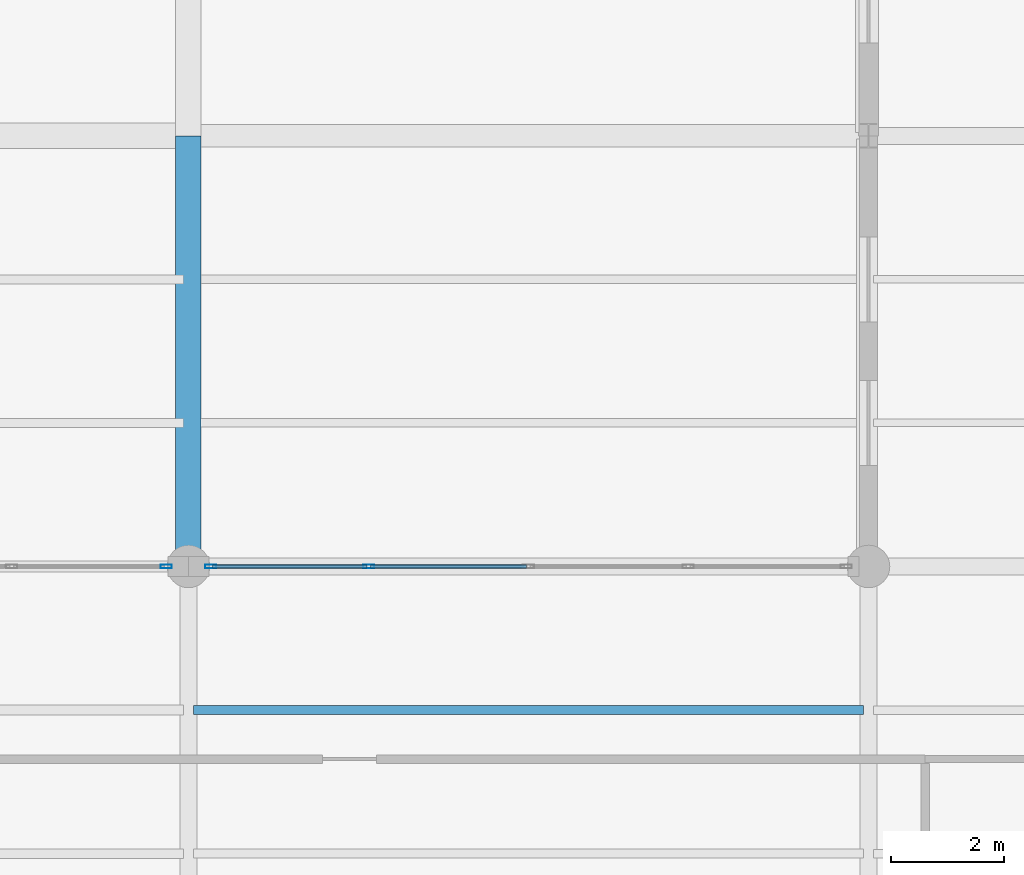
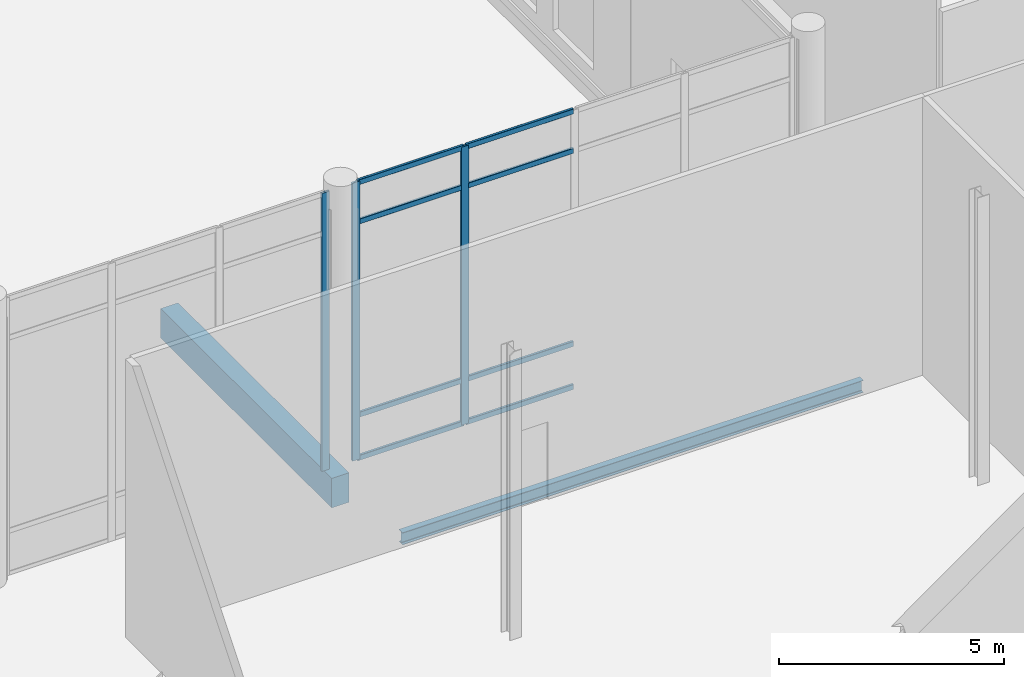
# One storey, part 82 of 176: 11 members, 2 beams, 2 elements without a shape of their own.
"""IFC4 building model written with IfcOpenShell, lengths in metres."""

from ifc_helpers import new_model, si_unit, direction, frame, origin, origin_2d, place, context, subcontext, project, spatial, rectangle, hollow_rectangle, i_section, extrude, material, layer, layer_set, material_profile, profile_set, type_object, element, aggregate, save


model = new_model("IFC4")

# Units and contexts
model_context = context("Model", 3, precision=1e-05, world=origin(), true_north=direction((0.0, 1.0)))
body_context = subcontext(model_context, "Body", "Model", "MODEL_VIEW")
ifc_project = project(units=[si_unit("LENGTHUNIT", "METRE"), si_unit("AREAUNIT", "SQUARE_METRE"), si_unit("VOLUMEUNIT", "CUBIC_METRE"), si_unit("PLANEANGLEUNIT", "RADIAN"), si_unit("MASSUNIT", "GRAM", prefix="KILO")], contexts=[model_context])

# Site, building, storey
site_placement = place(None, origin())
site = spatial("IfcSite", under=ifc_project, at=site_placement, CompositionType="ELEMENT")
building_placement = place(site_placement, origin())
building = spatial("IfcBuilding", under=site, at=building_placement, Name="Vekula Escarpment Museum", CompositionType="ELEMENT")
storey_placement = place(building_placement, origin())
storey = spatial("IfcBuildingStorey", under=building, at=storey_placement, Name="L01", CompositionType="ELEMENT", Elevation=0.0)

# Beams
ifc_material_1 = material(Name="Steel S355", Category="steel")
ifc_material_profile_1 = material_profile(ifc_material_1, i_section(OverallWidth=0.159912109375, OverallDepth=0.330078125, WebThickness=0.007568359375, FlangeThickness=0.011474609375, FilletRadius=0.01806640625, at=origin_2d()), Name="IPE 330")
ifc_profile_set_1 = profile_set([ifc_material_profile_1], Name="Steel S355")
beam_type_1 = type_object("IfcBeamType", Name="BM-JST-IPE330", PredefinedType="JOIST", material=ifc_profile_set_1)
beam_1_placement = place(storey_placement, frame((155.090087890625, 12.666748046875, -0.465087890625), z_axis=(1.0, 0.0, 0.0), x_axis=(0.0, 1.0, 0.0)))
element("IfcBeam", 1, at=beam_1_placement, inside=storey, type_object=beam_type_1, Name="Secondary Joist L01 0510", PredefinedType="JOIST", context=body_context, shape_type="SweptSolid", body=[
    extrude(i_section(OverallWidth=0.159912109375, OverallDepth=0.330078125, WebThickness=0.007568359375, FlangeThickness=0.011474609375, FilletRadius=0.01806640625, at=origin_2d()), origin(), (0.0, 0.0, 1.0), 11.81982421875),
])
ifc_material_2 = material(Name="Concrete C35/45", Category="concrete")
ifc_material_profile_2 = material_profile(ifc_material_2, rectangle(XDim=0.449951171875, YDim=0.800048828125, at=origin_2d()), Name="RC 450x800")
ifc_profile_set_2 = profile_set([ifc_material_profile_2], Name="Concrete C35/45")
beam_type_2 = type_object("IfcBeamType", Name="BM-PLINTH-RC", PredefinedType="BEAM", material=ifc_profile_set_2)
beam_2_placement = place(storey_placement, frame((155.0, 15.199951171875, -0.699951171875), z_axis=(0.0, 1.0, 0.0), x_axis=(-1.0, 0.0, 0.0)))
element("IfcBeam", 2, at=beam_2_placement, inside=storey, type_object=beam_type_2, Name="Beam Y L01 0708", PredefinedType="BEAM", context=body_context, shape_type="SweptSolid", body=[
    extrude(rectangle(XDim=0.449951171875, YDim=0.800048828125, at=origin_2d()), origin(), (0.0, 0.0, 1.0), 7.60009765625),
])

# Curtain wall, members
ifc_material_3 = material(Name="Aluminium thermally broken framing", Category="aluminium")
ifc_layer_1 = layer(ifc_material_3, 0.139892578125)
ifc_layer_set_1 = layer_set([ifc_layer_1], Name="Aluminium thermally broken framing")
curtain_wall_type_1 = type_object("IfcCurtainWallType", Name="CW-SYS-06", PredefinedType="NOTDEFINED", material=ifc_layer_set_1)
curtain_wall_1_placement = place(storey_placement, origin())
curtain_wall_1 = element("IfcCurtainWall", 3, at=curtain_wall_1_placement, inside=storey, type_object=curtain_wall_type_1, Name="Curtain Wall CW-L01-016", PredefinedType="NOTDEFINED")
ifc_material_4 = material(Name="Aluminium anodized mullion", Category="aluminium")
ifc_material_profile_3 = material_profile(ifc_material_4, hollow_rectangle(XDim=0.06494140625, YDim=0.199951171875, WallThickness=0.00390625, InnerFilletRadius=0.00390625, OuterFilletRadius=0.008056640625, at=origin_2d()), Name="ALU 200x65x4")
ifc_profile_set_3 = profile_set([ifc_material_profile_3], Name="Aluminium anodized mullion")
member_type_1 = type_object("IfcMemberType", Name="CW-MUL-200", PredefinedType="MULLION", material=ifc_profile_set_3)
member_1_placement = place(storey_placement, frame((158.179931640625, 15.199951171875, 0.0), z_axis=(0.0, 0.0, 1.0), x_axis=(0.0, -1.0, 0.0)))
member_1 = element("IfcMember", 4, at=member_1_placement, type_object=member_type_1, Name="CW-06 mullion 4", PredefinedType="MULLION", context=body_context, shape_type="SweptSolid", body=[
    extrude(hollow_rectangle(XDim=0.06494140625, YDim=0.199951171875, WallThickness=0.00390625, InnerFilletRadius=0.00390625, OuterFilletRadius=0.008056640625, at=origin_2d()), origin(), (0.0, 0.0, 1.0), 7.5400390625),
])
member_2_placement = place(storey_placement, frame((155.392578125, 15.199951171875, 0.0), z_axis=(0.0, 0.0, 1.0), x_axis=(0.0, -1.0, 0.0)))
member_2 = element("IfcMember", 5, at=member_2_placement, type_object=member_type_1, Name="CW-06 mullion 5", PredefinedType="MULLION", context=body_context, shape_type="SweptSolid", body=[
    extrude(hollow_rectangle(XDim=0.06494140625, YDim=0.199951171875, WallThickness=0.00390625, InnerFilletRadius=0.00390625, OuterFilletRadius=0.008056640625, at=origin_2d()), origin(), (0.0, 0.0, 1.0), 7.5400390625),
])

# Curtain wall, member
ifc_material_5 = material(Name="Aluminium thermally broken framing", Category="aluminium")
ifc_layer_2 = layer(ifc_material_5, 0.179931640625)
ifc_layer_set_2 = layer_set([ifc_layer_2], Name="Aluminium thermally broken framing")
curtain_wall_type_2 = type_object("IfcCurtainWallType", Name="CW-SYS-07", PredefinedType="NOTDEFINED", material=ifc_layer_set_2)
curtain_wall_2_placement = place(storey_placement, origin())
curtain_wall_2 = element("IfcCurtainWall", 6, at=curtain_wall_2_placement, inside=storey, type_object=curtain_wall_type_2, Name="Curtain Wall CW-L01-017", PredefinedType="NOTDEFINED")
member_3_placement = place(storey_placement, frame((154.607421875, 15.199951171875, 0.0), z_axis=(0.0, 0.0, 1.0), x_axis=(0.0, -1.0, 0.0)))
member_3 = element("IfcMember", 7, at=member_3_placement, type_object=member_type_1, Name="CW-07 mullion 1", PredefinedType="MULLION", context=body_context, shape_type="SweptSolid", body=[
    extrude(hollow_rectangle(XDim=0.06494140625, YDim=0.199951171875, WallThickness=0.00390625, InnerFilletRadius=0.00390625, OuterFilletRadius=0.008056640625, at=origin_2d()), origin(), (0.0, 0.0, 1.0), 7.5400390625),
])
aggregate(curtain_wall_2, [member_3])

# Member
ifc_material_6 = material(Name="Aluminium anodized transom", Category="aluminium")
ifc_material_profile_4 = material_profile(ifc_material_6, hollow_rectangle(XDim=0.06494140625, YDim=0.139892578125, WallThickness=0.00390625, InnerFilletRadius=0.00390625, OuterFilletRadius=0.008056640625, at=origin_2d()), Name="ALU 140x65x4")
ifc_profile_set_4 = profile_set([ifc_material_profile_4], Name="Aluminium anodized transom")
member_type_2 = type_object("IfcMemberType", Name="CW-TRN-140", PredefinedType="USERDEFINED", material=ifc_profile_set_4)
member_4_placement = place(storey_placement, frame((160.967529296875, 15.199951171875, 0.032470703125), z_axis=(-1.0, 0.0, 0.0), x_axis=(0.0, -1.0, 0.0)))
member_4 = element("IfcMember", 8, at=member_4_placement, type_object=member_type_2, Name="CW-06 transom 3.1", ObjectType="TRANSOM", PredefinedType="USERDEFINED", context=body_context, shape_type="SweptSolid", body=[
    extrude(hollow_rectangle(XDim=0.06494140625, YDim=0.139892578125, WallThickness=0.00390625, InnerFilletRadius=0.00390625, OuterFilletRadius=0.008056640625, at=origin_2d()), origin(), (0.0, 0.0, 1.0), 2.755126953125),
])

member_5_placement = place(storey_placement, frame((160.967529296875, 15.199951171875, 1.199951171875), z_axis=(-1.0, 0.0, 0.0), x_axis=(0.0, -1.0, 0.0)))
member_5 = element("IfcMember", 9, at=member_5_placement, type_object=member_type_2, Name="CW-06 transom 3.2", ObjectType="TRANSOM", PredefinedType="USERDEFINED", context=body_context, shape_type="SweptSolid", body=[
    extrude(hollow_rectangle(XDim=0.06494140625, YDim=0.139892578125, WallThickness=0.00390625, InnerFilletRadius=0.00390625, OuterFilletRadius=0.008056640625, at=origin_2d()), origin(), (0.0, 0.0, 1.0), 2.755126953125),
])

member_6_placement = place(storey_placement, frame((160.967529296875, 15.199951171875, 6.43994140625), z_axis=(-1.0, 0.0, 0.0), x_axis=(0.0, -1.0, 0.0)))
member_6 = element("IfcMember", 10, at=member_6_placement, type_object=member_type_2, Name="CW-06 transom 3.3", ObjectType="TRANSOM", PredefinedType="USERDEFINED", context=body_context, shape_type="SweptSolid", body=[
    extrude(hollow_rectangle(XDim=0.06494140625, YDim=0.139892578125, WallThickness=0.00390625, InnerFilletRadius=0.00390625, OuterFilletRadius=0.008056640625, at=origin_2d()), origin(), (0.0, 0.0, 1.0), 2.755126953125),
])

member_7_placement = place(storey_placement, frame((160.967529296875, 15.199951171875, 7.507568359375), z_axis=(-1.0, 0.0, 0.0), x_axis=(0.0, -1.0, 0.0)))
member_7 = element("IfcMember", 11, at=member_7_placement, type_object=member_type_2, Name="CW-06 transom 3.4", ObjectType="TRANSOM", PredefinedType="USERDEFINED", context=body_context, shape_type="SweptSolid", body=[
    extrude(hollow_rectangle(XDim=0.06494140625, YDim=0.139892578125, WallThickness=0.00390625, InnerFilletRadius=0.00390625, OuterFilletRadius=0.008056640625, at=origin_2d()), origin(), (0.0, 0.0, 1.0), 2.755126953125),
])

member_8_placement = place(storey_placement, frame((158.1474609375, 15.199951171875, 0.032470703125), z_axis=(-1.0, 0.0, 0.0), x_axis=(0.0, -1.0, 0.0)))
member_8 = element("IfcMember", 12, at=member_8_placement, type_object=member_type_2, Name="CW-06 transom 4.1", ObjectType="TRANSOM", PredefinedType="USERDEFINED", context=body_context, shape_type="SweptSolid", body=[
    extrude(hollow_rectangle(XDim=0.06494140625, YDim=0.139892578125, WallThickness=0.00390625, InnerFilletRadius=0.00390625, OuterFilletRadius=0.008056640625, at=origin_2d()), origin(), (0.0, 0.0, 1.0), 2.722412109375),
])

member_9_placement = place(storey_placement, frame((158.1474609375, 15.199951171875, 1.199951171875), z_axis=(-1.0, 0.0, 0.0), x_axis=(0.0, -1.0, 0.0)))
member_9 = element("IfcMember", 13, at=member_9_placement, type_object=member_type_2, Name="CW-06 transom 4.2", ObjectType="TRANSOM", PredefinedType="USERDEFINED", context=body_context, shape_type="SweptSolid", body=[
    extrude(hollow_rectangle(XDim=0.06494140625, YDim=0.139892578125, WallThickness=0.00390625, InnerFilletRadius=0.00390625, OuterFilletRadius=0.008056640625, at=origin_2d()), origin(), (0.0, 0.0, 1.0), 2.722412109375),
])

member_10_placement = place(storey_placement, frame((158.1474609375, 15.199951171875, 6.43994140625), z_axis=(-1.0, 0.0, 0.0), x_axis=(0.0, -1.0, 0.0)))
member_10 = element("IfcMember", 14, at=member_10_placement, type_object=member_type_2, Name="CW-06 transom 4.3", ObjectType="TRANSOM", PredefinedType="USERDEFINED", context=body_context, shape_type="SweptSolid", body=[
    extrude(hollow_rectangle(XDim=0.06494140625, YDim=0.139892578125, WallThickness=0.00390625, InnerFilletRadius=0.00390625, OuterFilletRadius=0.008056640625, at=origin_2d()), origin(), (0.0, 0.0, 1.0), 2.722412109375),
])

member_11_placement = place(storey_placement, frame((158.1474609375, 15.199951171875, 7.507568359375), z_axis=(-1.0, 0.0, 0.0), x_axis=(0.0, -1.0, 0.0)))
member_11 = element("IfcMember", 15, at=member_11_placement, type_object=member_type_2, Name="CW-06 transom 4.4", ObjectType="TRANSOM", PredefinedType="USERDEFINED", context=body_context, shape_type="SweptSolid", body=[
    extrude(hollow_rectangle(XDim=0.06494140625, YDim=0.139892578125, WallThickness=0.00390625, InnerFilletRadius=0.00390625, OuterFilletRadius=0.008056640625, at=origin_2d()), origin(), (0.0, 0.0, 1.0), 2.722412109375),
])

aggregate(curtain_wall_1, [member_1, member_2, member_4, member_5, member_6, member_7, member_8, member_9, member_10, member_11])

save(model, "model.ifc")
